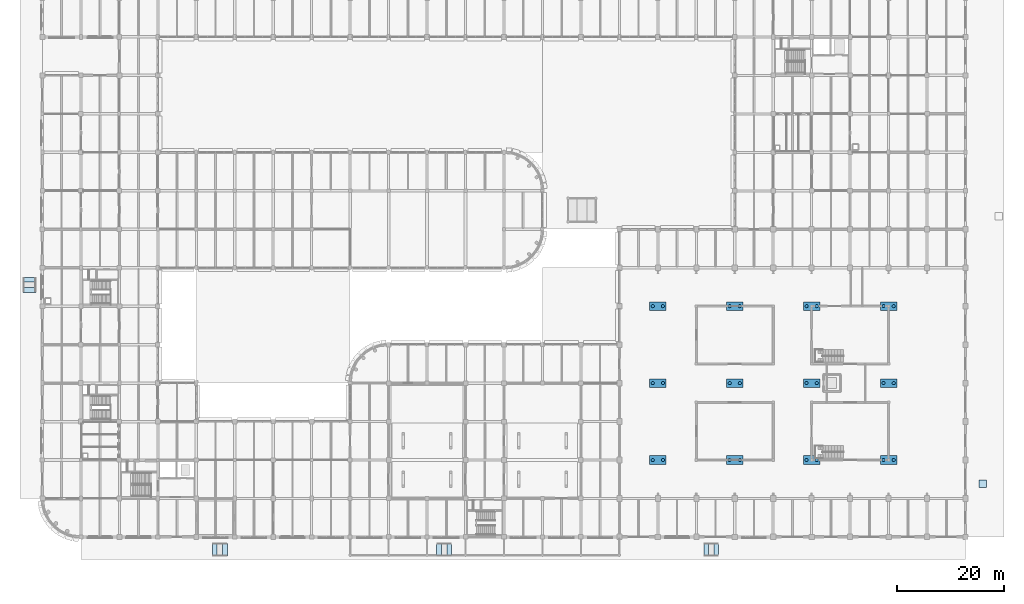
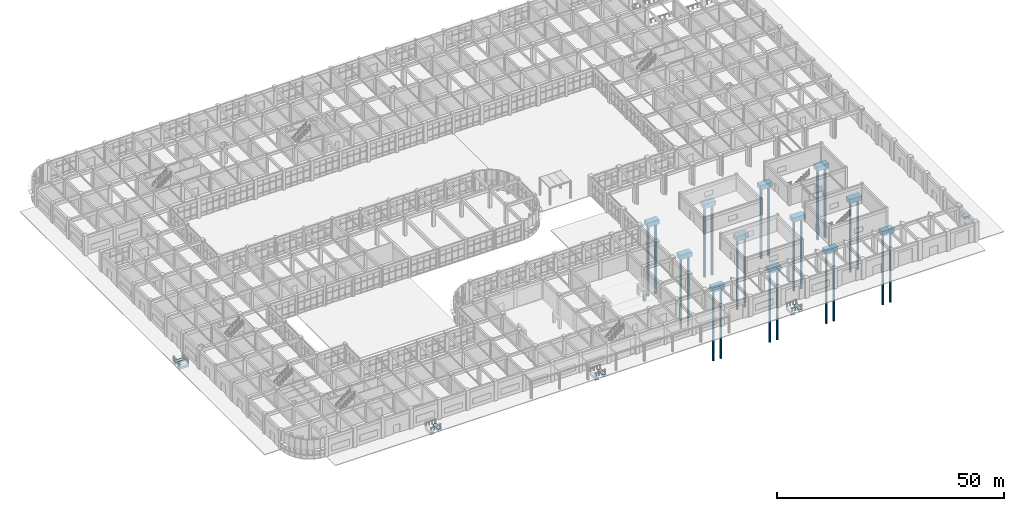
# One storey, part 1 of 160: 24 piles, 21 footings.
"""IFC4 building model written with IfcOpenShell, lengths in metres."""

from ifc_helpers import new_model, si_unit, direction, frame, origin, origin_2d, place, context, subcontext, project, spatial, rectangle, circle, extrude, material, material_profile, profile_set, type_object, element, save


model = new_model("IFC4")

# Units and contexts
model_context = context("Model", 3, precision=1e-05, world=origin(), true_north=direction((0.0, 1.0)))
body_context = subcontext(model_context, "Body", "Model", "MODEL_VIEW")
ifc_project = project(units=[si_unit("LENGTHUNIT", "METRE"), si_unit("AREAUNIT", "SQUARE_METRE"), si_unit("VOLUMEUNIT", "CUBIC_METRE"), si_unit("PLANEANGLEUNIT", "RADIAN"), si_unit("MASSUNIT", "GRAM", prefix="KILO")], contexts=[model_context])

# Site, building, storey
site_placement = place(None, origin())
site = spatial("IfcSite", under=ifc_project, at=site_placement, CompositionType="ELEMENT")
building_placement = place(site_placement, origin())
building = spatial("IfcBuilding", under=site, at=building_placement, Name="Thalmaran Polytechnic", CompositionType="ELEMENT")
storey_placement = place(building_placement, origin())
storey = spatial("IfcBuildingStorey", under=building, at=storey_placement, Name="L00", CompositionType="ELEMENT", Elevation=0.0)

# Footings
ifc_material_1 = material(Name="Concrete C40/50", Category="concrete")
footing_type_1 = type_object("IfcFootingType", Name="FN-PC06", PredefinedType="PILE_CAP", material=ifc_material_1)
for number, where, z_axis, x_axis, name in (
    (1, (115.199951171875, 14.39990234375, -1.56005859375), (0.0, 0.0, 1.0), (1.0, 0.0, 0.0), "Workshop Sub-Slab Pile Cap (16,2)"),
    (2, (115.199951171875, 28.800048828125, -1.56005859375), (0.0, 0.0, 1.0), (1.0, 0.0, 0.0), "Workshop Sub-Slab Pile Cap (16,4)"),
    (3, (115.199951171875, 43.199951171875, -1.56005859375), (0.0, 0.0, 1.0), (1.0, 0.0, 0.0), "Workshop Sub-Slab Pile Cap (16,6)"),
    (4, (129.60009765625, 14.39990234375, -1.56005859375), (0.0, 0.0, 1.0), (1.0, 0.0, 0.0), "Workshop Sub-Slab Pile Cap (18,2)"),
    (5, (129.60009765625, 28.800048828125, -1.56005859375), (0.0, 0.0, 1.0), (1.0, 0.0, 0.0), "Workshop Sub-Slab Pile Cap (18,4)"),
    (6, (129.60009765625, 43.199951171875, -1.56005859375), (0.0, 0.0, 1.0), (1.0, 0.0, 0.0), "Workshop Sub-Slab Pile Cap (18,6)"),
    (7, (144.0, 14.39990234375, -1.56005859375), (0.0, 0.0, 1.0), (1.0, 0.0, 0.0), "Workshop Sub-Slab Pile Cap (20,2)"),
    (8, (144.0, 28.800048828125, -1.56005859375), (0.0, 0.0, 1.0), (1.0, 0.0, 0.0), "Workshop Sub-Slab Pile Cap (20,4)"),
    (9, (144.0, 43.199951171875, -1.56005859375), (0.0, 0.0, 1.0), (1.0, 0.0, 0.0), "Workshop Sub-Slab Pile Cap (20,6)"),
    (10, (158.39990234375, 14.39990234375, -1.56005859375), (0.0, 0.0, 1.0), (1.0, 0.0, 0.0), "Workshop Sub-Slab Pile Cap (22,2)"),
    (11, (158.39990234375, 28.800048828125, -1.56005859375), (0.0, 0.0, 1.0), (1.0, 0.0, 0.0), "Workshop Sub-Slab Pile Cap (22,4)"),
    (12, (158.39990234375, 43.199951171875, -1.56005859375), (0.0, 0.0, 1.0), (1.0, 0.0, 0.0), "Workshop Sub-Slab Pile Cap (22,6)"),
):
    element("IfcFooting", number, at=place(storey_placement, frame(where, z_axis=z_axis, x_axis=x_axis)), inside=storey, type_object=footing_type_1, Name=name, PredefinedType="PILE_CAP", context=body_context, shape_type="SweptSolid", body=[
        extrude(rectangle(XDim=3.10009765625, YDim=1.60009765625, at=origin_2d()), origin(), (0.0, 0.0, 1.0), 1.199951171875),
    ])
footing_type_2 = type_object("IfcFootingType", Name="FN-PF03", PredefinedType="PAD_FOOTING", material=ifc_material_1)
footing_placement = place(storey_placement, frame((176.0, 10.0, -0.800048828125), z_axis=(0.0, 0.0, 1.0), x_axis=(1.0, 0.0, 0.0)))
element("IfcFooting", 13, at=footing_placement, inside=storey, type_object=footing_type_2, Name="Apron Edge Footing 10", PredefinedType="PAD_FOOTING", context=body_context, shape_type="SweptSolid", body=[
    extrude(rectangle(XDim=1.39990234375, YDim=1.39990234375, at=origin_2d()), origin(), (0.0, 0.0, 1.0), 0.60009765625),
])
for number, where, z_axis, x_axis, name in (
    (14, (32.25, -2.39990234375, -0.780029296875), (0.0, 0.0, 1.0), (1.0, 0.0, 0.0), "Entrance Ramp Toe Footing PED1"),
    (15, (34.14990234375, -2.39990234375, -0.60009765625), (0.0, 0.0, 1.0), (1.0, 0.0, 0.0), "Entrance Ramp Top Footing PED1"),
    (16, (74.25, -2.39990234375, -0.780029296875), (0.0, 0.0, 1.0), (1.0, 0.0, 0.0), "Entrance Ramp Toe Footing PED2"),
    (17, (76.14990234375, -2.39990234375, -0.60009765625), (0.0, 0.0, 1.0), (1.0, 0.0, 0.0), "Entrance Ramp Top Footing PED2"),
    (18, (124.25, -2.39990234375, -0.780029296875), (0.0, 0.0, 1.0), (1.0, 0.0, 0.0), "Entrance Ramp Toe Footing PED3"),
    (19, (126.14990234375, -2.39990234375, -0.60009765625), (0.0, 0.0, 1.0), (1.0, 0.0, 0.0), "Entrance Ramp Top Footing PED3"),
):
    element("IfcFooting", number, at=place(storey_placement, frame(where, z_axis=z_axis, x_axis=x_axis)), inside=storey, type_object=footing_type_2, Name=name, PredefinedType="PAD_FOOTING", context=body_context, shape_type="SweptSolid", body=[
        extrude(rectangle(XDim=0.89990234375, YDim=2.39990234375, at=origin_2d()), origin(), (0.0, 0.0, 1.0), 0.60009765625),
    ])
for number, where, z_axis, x_axis, name in (
    (20, (-2.39990234375, 46.25, -0.780029296875), (0.0, 0.0, 1.0), (1.0, 0.0, 0.0), "Entrance Ramp Toe Footing PED4"),
    (21, (-2.39990234375, 48.14990234375, -0.60009765625), (0.0, 0.0, 1.0), (1.0, 0.0, 0.0), "Entrance Ramp Top Footing PED4"),
):
    element("IfcFooting", number, at=place(storey_placement, frame(where, z_axis=z_axis, x_axis=x_axis)), inside=storey, type_object=footing_type_2, Name=name, PredefinedType="PAD_FOOTING", context=body_context, shape_type="SweptSolid", body=[
        extrude(rectangle(XDim=2.39990234375, YDim=0.89990234375, at=origin_2d()), origin(), (0.0, 0.0, 1.0), 0.60009765625),
    ])

# Piles
ifc_material_2 = material(Name="Concrete C35/45", Category="concrete")
ifc_material_profile = material_profile(ifc_material_2, circle(Radius=0.300048828125, at=origin_2d()), Name="RC 600 DIA")
ifc_profile_set = profile_set([ifc_material_profile], Name="Concrete C35/45")
pile_type = type_object("IfcPileType", Name="PL-BP04", PredefinedType="BORED", material=ifc_profile_set)
for number, where, z_axis, x_axis, name in (
    (22, (114.25, 14.39990234375, -1.56005859375), (0.0, 0.0, -1.0), (1.0, 0.0, 0.0), "Workshop Bored Pile (16,2)-1"),
    (23, (116.14990234375, 14.39990234375, -1.56005859375), (0.0, 0.0, -1.0), (1.0, 0.0, 0.0), "Workshop Bored Pile (16,2)-2"),
    (24, (114.25, 28.800048828125, -1.56005859375), (0.0, 0.0, -1.0), (1.0, 0.0, 0.0), "Workshop Bored Pile (16,4)-1"),
    (25, (116.14990234375, 28.800048828125, -1.56005859375), (0.0, 0.0, -1.0), (1.0, 0.0, 0.0), "Workshop Bored Pile (16,4)-2"),
    (26, (114.25, 43.199951171875, -1.56005859375), (0.0, 0.0, -1.0), (1.0, 0.0, 0.0), "Workshop Bored Pile (16,6)-1"),
    (27, (116.14990234375, 43.199951171875, -1.56005859375), (0.0, 0.0, -1.0), (1.0, 0.0, 0.0), "Workshop Bored Pile (16,6)-2"),
    (28, (128.64990234375, 14.39990234375, -1.56005859375), (0.0, 0.0, -1.0), (1.0, 0.0, 0.0), "Workshop Bored Pile (18,2)-1"),
    (29, (130.550048828125, 14.39990234375, -1.56005859375), (0.0, 0.0, -1.0), (1.0, 0.0, 0.0), "Workshop Bored Pile (18,2)-2"),
    (30, (128.64990234375, 28.800048828125, -1.56005859375), (0.0, 0.0, -1.0), (1.0, 0.0, 0.0), "Workshop Bored Pile (18,4)-1"),
    (31, (130.550048828125, 28.800048828125, -1.56005859375), (0.0, 0.0, -1.0), (1.0, 0.0, 0.0), "Workshop Bored Pile (18,4)-2"),
    (32, (128.64990234375, 43.199951171875, -1.56005859375), (0.0, 0.0, -1.0), (1.0, 0.0, 0.0), "Workshop Bored Pile (18,6)-1"),
    (33, (130.550048828125, 43.199951171875, -1.56005859375), (0.0, 0.0, -1.0), (1.0, 0.0, 0.0), "Workshop Bored Pile (18,6)-2"),
    (34, (143.050048828125, 14.39990234375, -1.56005859375), (0.0, 0.0, -1.0), (1.0, 0.0, 0.0), "Workshop Bored Pile (20,2)-1"),
    (35, (144.949951171875, 14.39990234375, -1.56005859375), (0.0, 0.0, -1.0), (1.0, 0.0, 0.0), "Workshop Bored Pile (20,2)-2"),
    (36, (143.050048828125, 28.800048828125, -1.56005859375), (0.0, 0.0, -1.0), (1.0, 0.0, 0.0), "Workshop Bored Pile (20,4)-1"),
    (37, (144.949951171875, 28.800048828125, -1.56005859375), (0.0, 0.0, -1.0), (1.0, 0.0, 0.0), "Workshop Bored Pile (20,4)-2"),
    (38, (143.050048828125, 43.199951171875, -1.56005859375), (0.0, 0.0, -1.0), (1.0, 0.0, 0.0), "Workshop Bored Pile (20,6)-1"),
    (39, (144.949951171875, 43.199951171875, -1.56005859375), (0.0, 0.0, -1.0), (1.0, 0.0, 0.0), "Workshop Bored Pile (20,6)-2"),
    (40, (157.449951171875, 14.39990234375, -1.56005859375), (0.0, 0.0, -1.0), (1.0, 0.0, 0.0), "Workshop Bored Pile (22,2)-1"),
    (41, (159.35009765625, 14.39990234375, -1.56005859375), (0.0, 0.0, -1.0), (1.0, 0.0, 0.0), "Workshop Bored Pile (22,2)-2"),
    (42, (157.449951171875, 28.800048828125, -1.56005859375), (0.0, 0.0, -1.0), (1.0, 0.0, 0.0), "Workshop Bored Pile (22,4)-1"),
    (43, (159.35009765625, 28.800048828125, -1.56005859375), (0.0, 0.0, -1.0), (1.0, 0.0, 0.0), "Workshop Bored Pile (22,4)-2"),
    (44, (157.449951171875, 43.199951171875, -1.56005859375), (0.0, 0.0, -1.0), (1.0, 0.0, 0.0), "Workshop Bored Pile (22,6)-1"),
    (45, (159.35009765625, 43.199951171875, -1.56005859375), (0.0, 0.0, -1.0), (1.0, 0.0, 0.0), "Workshop Bored Pile (22,6)-2"),
):
    element("IfcPile", number, at=place(storey_placement, frame(where, z_axis=z_axis, x_axis=x_axis)), inside=storey, type_object=pile_type, Name=name, PredefinedType="BORED", context=body_context, shape_type="SweptSolid", body=[
        extrude(circle(Radius=0.300048828125, at=origin_2d()), origin(), (0.0, 0.0, 1.0), 18.93994140625),
    ])

save(model, "model.ifc")
